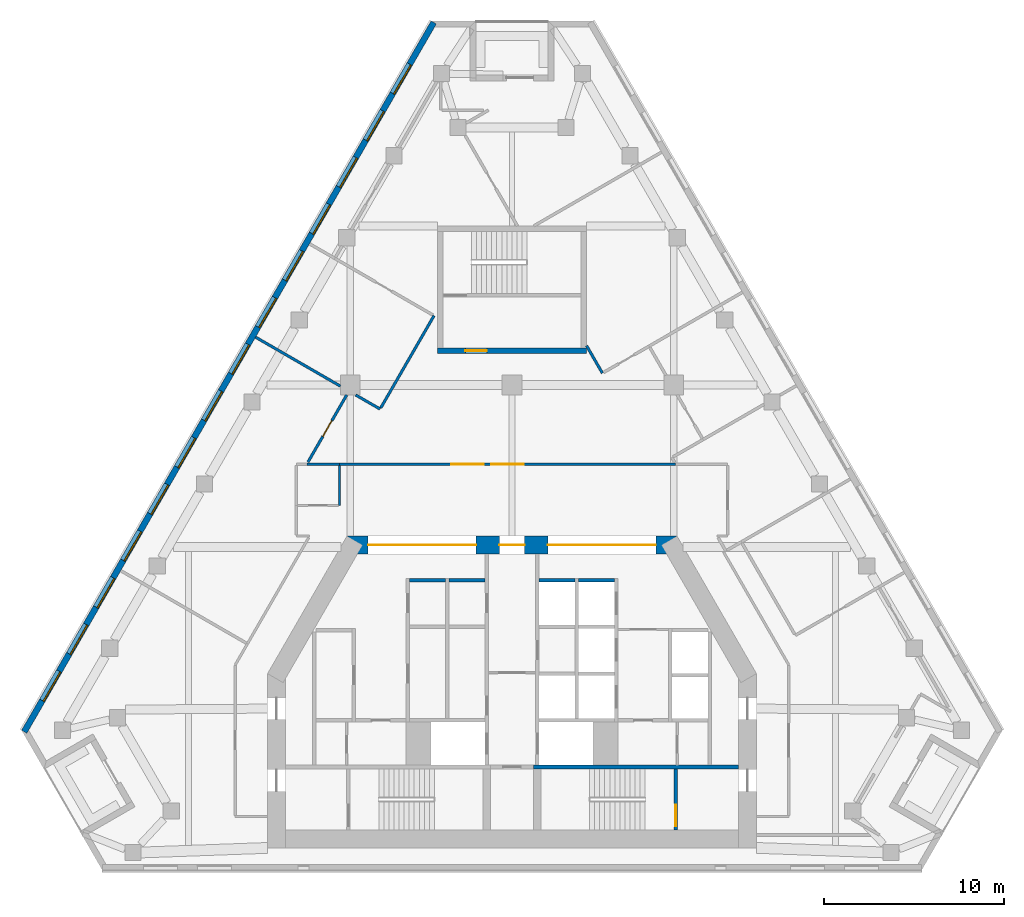
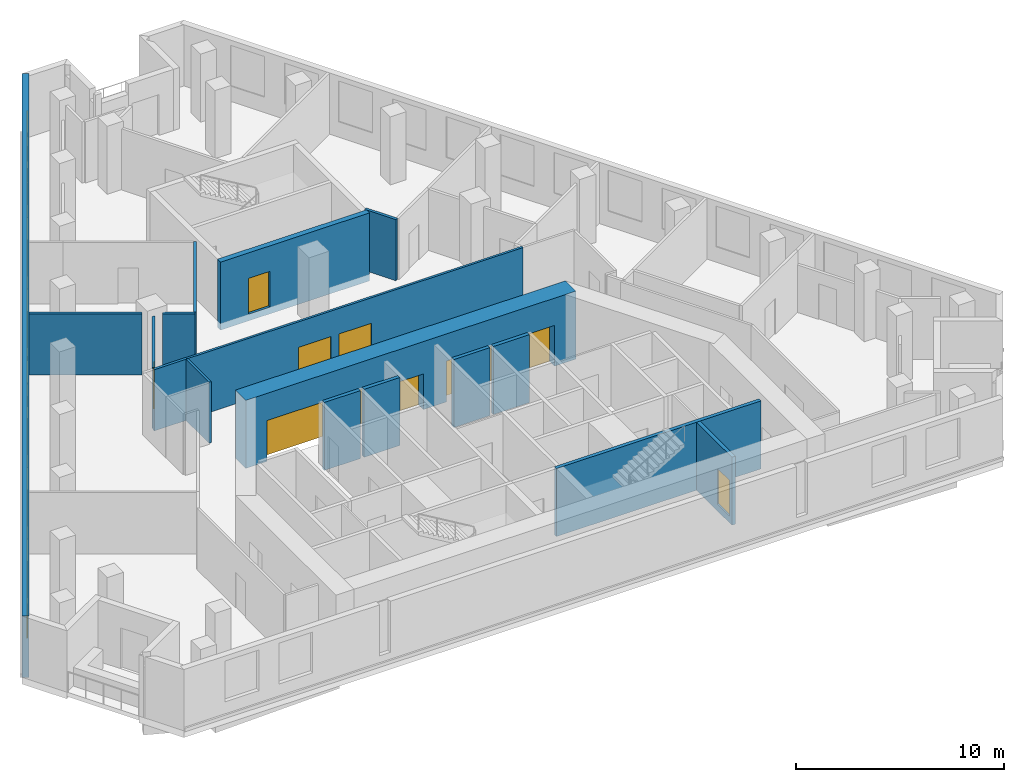
# One storey, part 5 of 9: 17 walls, 14 windows, 8 doors, 22 openings.
"""IFC4 building model written with IfcOpenShell, lengths in metres."""

from ifc_helpers import new_model, si_unit, direction, frame, frame_2d, origin, place, context, subcontext, project, spatial, rectangle, extrude, material, layer, layer_set, type_object, element, fill, save


model = new_model("IFC4")

# Units and contexts
model_context = context("Model", 3, precision=1e-05, world=origin(), true_north=direction((0.0, 1.0)))
body_context = subcontext(model_context, "Body", "Model", "MODEL_VIEW")
ifc_project = project(units=[si_unit("LENGTHUNIT", "METRE"), si_unit("AREAUNIT", "SQUARE_METRE"), si_unit("VOLUMEUNIT", "CUBIC_METRE"), si_unit("PLANEANGLEUNIT", "RADIAN"), si_unit("MASSUNIT", "GRAM", prefix="KILO")], contexts=[model_context])

# Site, building, storey
site_placement = place(None, origin())
site = spatial("IfcSite", under=ifc_project, at=site_placement, CompositionType="ELEMENT")
building_placement = place(site_placement, origin())
building = spatial("IfcBuilding", under=site, at=building_placement, Name="Fogline Exchange Tower", CompositionType="ELEMENT")
storey_placement = place(building_placement, frame((0.0, 0.0, 214.10009765625)))
storey = spatial("IfcBuildingStorey", under=building, at=storey_placement, Name="L48", CompositionType="ELEMENT", Elevation=214.10009765625)

# Wall
ifc_material_1 = material(Name="Concrete C40", Category="concrete")
ifc_layer_1 = layer(ifc_material_1, 0.199951171875)
ifc_layer_set_1 = layer_set([ifc_layer_1], Name="CW20R")
wall_type_1 = type_object("IfcWallType", Name="CW20R", PredefinedType="SOLIDWALL", material=ifc_layer_set_1)
wall_1_placement = place(storey_placement, frame((1.199951171875, 5.75, -0.400146484375), z_axis=(0.0, 0.0, 1.0), x_axis=(1.0, 0.0, 0.0)))
element("IfcWall", 1, at=wall_1_placement, inside=storey, type_object=wall_type_1, Name="Stair enclosure wall", PredefinedType="SOLIDWALL", context=body_context, shape_type="SweptSolid", body=[
    extrude(rectangle(XDim=11.400146484375, YDim=0.199951171875, at=frame_2d((5.7001953125, 0.0))), origin(), (0.0, 0.0, 1.0), 4.0),
])

# Wall, opening, door
wall_2_placement = place(storey_placement, frame((9.10009765625, 2.25, -0.400146484375), z_axis=(0.0, 0.0, 1.0), x_axis=(0.0, 1.0, 0.0)))
wall_2 = element("IfcWall", 2, at=wall_2_placement, inside=storey, type_object=wall_type_1, Name="Stair enclosure wall", PredefinedType="SOLIDWALL", context=body_context, shape_type="SweptSolid", body=[
    extrude(rectangle(XDim=3.39990234375, YDim=0.199951171875, at=frame_2d((1.699951171875, 0.0))), origin(), (0.0, 0.0, 1.0), 4.0),
])
opening_1_placement = place(wall_2_placement, frame((0.199951171875, 0.0, 0.39990234375)))
opening_1 = element("IfcOpeningElement", 3, at=opening_1_placement, cuts=wall_2, Name="Opening T15-C017", PredefinedType="OPENING", context=body_context, shape_type="SweptSolid", body=[
    extrude(rectangle(XDim=1.199951171875, YDim=2.10009765625, at=frame_2d((0.60009765625, 1.050048828125))), frame((0.0, 0.10986328125, 0.0), z_axis=(0.0, -1.0, 0.0), x_axis=(1.0, 0.0, 0.0)), (0.0, 0.0, 1.0), 0.219970703125),
])
ifc_material_2 = material(Name="Steel and timber fire door", Category="steel")
door_type_1 = type_object("IfcDoorType", Name="D-ST1", OperationType="SINGLE_SWING_LEFT", PredefinedType="DOOR", material=ifc_material_2)
door_1_placement = place(opening_1_placement, origin())
door_1 = element("IfcDoor", 4, at=door_1_placement, inside=storey, type_object=door_type_1, Name="Stair door ST2", OperationType="SINGLE_SWING_LEFT", OverallHeight=2.10009765625, OverallWidth=1.199951171875, PredefinedType="DOOR", context=body_context, shape_type="SweptSolid", body=[
    extrude(rectangle(XDim=1.199951171875, YDim=2.10009765625, at=frame_2d((0.60009765625, 1.050048828125))), frame((0.0, 0.02490234375, 0.0), z_axis=(0.0, -1.0, 0.0), x_axis=(1.0, 0.0, 0.0)), (0.0, 0.0, 1.0), 0.050048828125),
])
fill(opening_1, door_1)

# Walls
ifc_layer_2 = layer(ifc_material_1, 0.199951171875)
ifc_layer_set_2 = layer_set([ifc_layer_2], Name="CW20S")
wall_type_2 = type_object("IfcWallType", Name="CW20S", PredefinedType="SOLIDWALL", material=ifc_layer_set_2)
for number, where, z_axis, x_axis, name in (
    (5, (-5.699951171875, 16.14990234375, -0.400146484375), (0.0, 0.0, 1.0), (1.0, 0.0, 0.0), "Lift shaft wall"),
    (6, (-3.5, 16.14990234375, -0.400146484375), (0.0, 0.0, 1.0), (1.0, 0.0, 0.0), "Lift shaft wall"),
    (7, (3.699951171875, 16.14990234375, -0.400146484375), (0.0, 0.0, 1.0), (1.0, 0.0, 0.0), "Lift shaft wall"),
    (8, (1.5, 16.14990234375, -0.400146484375), (0.0, 0.0, 1.0), (1.0, 0.0, 0.0), "Lift shaft wall"),
):
    element("IfcWall", number, at=place(storey_placement, frame(where, z_axis=z_axis, x_axis=x_axis)), inside=storey, type_object=wall_type_2, Name=name, PredefinedType="SOLIDWALL", context=body_context, shape_type="SweptSolid", body=[
        extrude(rectangle(XDim=2.0, YDim=0.199951171875, at=frame_2d((1.0, 0.0))), origin(), (0.0, 0.0, 1.0), 4.0),
    ])

# Wall, opening, door
ifc_layer_3 = layer(ifc_material_1, 0.300048828125)
ifc_layer_set_3 = layer_set([ifc_layer_3], Name="CW30")
wall_type_3 = type_object("IfcWallType", Name="CW30", PredefinedType="SOLIDWALL", material=ifc_layer_set_3)
wall_3_placement = place(storey_placement, frame((-4.14990234375, 28.906982421875, -0.400146484375), z_axis=(0.0, 0.0, 1.0), x_axis=(1.0, 0.0, 0.0)))
wall_3 = element("IfcWall", 9, at=wall_3_placement, inside=storey, type_object=wall_type_3, Name="Stair enclosure wall ST3", PredefinedType="SOLIDWALL", context=body_context, shape_type="SweptSolid", body=[
    extrude(rectangle(XDim=8.2998046875, YDim=0.300048828125, at=frame_2d((4.14990234375, 0.0))), origin(), (0.0, 0.0, 1.0), 4.0),
])
opening_2_placement = place(wall_3_placement, frame((1.550048828125, 0.0, 0.39990234375)))
opening_2 = element("IfcOpeningElement", 10, at=opening_2_placement, cuts=wall_3, Name="Opening T15-C023", PredefinedType="OPENING", context=body_context, shape_type="SweptSolid", body=[
    extrude(rectangle(XDim=1.199951171875, YDim=2.10009765625, at=frame_2d((0.60009765625, 1.050048828125))), frame((0.0, 0.16015625, 0.0), z_axis=(0.0, -1.0, 0.0), x_axis=(1.0, 0.0, 0.0)), (0.0, 0.0, 1.0), 0.320068359375),
])
door_type_2 = type_object("IfcDoorType", Name="D-FR1", OperationType="SINGLE_SWING_RIGHT", PredefinedType="DOOR", material=ifc_material_2)
door_2_placement = place(opening_2_placement, origin())
door_2 = element("IfcDoor", 11, at=door_2_placement, inside=storey, type_object=door_type_2, Name="Front room door ST3", OperationType="SINGLE_SWING_LEFT", OverallHeight=2.10009765625, OverallWidth=1.199951171875, PredefinedType="DOOR", context=body_context, shape_type="SweptSolid", body=[
    extrude(rectangle(XDim=1.199951171875, YDim=2.10009765625, at=frame_2d((0.60009765625, 1.050048828125))), frame((0.0, 0.02490234375, 0.0), z_axis=(0.0, -1.0, 0.0), x_axis=(1.0, 0.0, 0.0)), (0.0, 0.0, 1.0), 0.050048828125),
])
fill(opening_2, door_2)

# Wall, openings, windows
ifc_material_3 = material(Name="Brick masonry", Category="masonry")
ifc_layer_4 = layer(ifc_material_3, 0.340087890625)
ifc_layer_set_4 = layer_set([ifc_layer_4], Name="FW1")
wall_type_4 = type_object("IfcWallType", Name="FW1", PredefinedType="SOLIDWALL", material=ifc_layer_set_4)
wall_4_placement = place(storey_placement, frame((-4.352783203125, 47.1767578125, 0.0), z_axis=(0.0, 0.0, 1.0), x_axis=(-0.500000533701, -0.866025095652, 0.0)))
wall_4 = element("IfcWall", 12, at=wall_4_placement, inside=storey, type_object=wall_type_4, Name="Brick wall L48 W", PredefinedType="SOLIDWALL", context=body_context, shape_type="SweptSolid", body=[
    extrude(rectangle(XDim=45.5732421875, YDim=0.340087890625, at=frame_2d((22.78662109375, 0.0))), origin(), (0.0, 0.0, 1.0), 3.599853515625),
])
opening_3_placement = place(wall_4_placement, frame((2.6796875, 0.0, 0.89990234375)))
opening_3 = element("IfcOpeningElement", 13, at=opening_3_placement, cuts=wall_4, Name="Opening W1", PredefinedType="OPENING", context=body_context, shape_type="SweptSolid", body=[
    extrude(rectangle(XDim=1.885009765625, YDim=2.39990234375, at=frame_2d((0.9423828125, 1.199951171875))), frame((0.0, 0.18017578125, 0.0), z_axis=(0.0, -1.0, 0.0), x_axis=(1.0, 0.0, 0.0)), (0.0, 0.0, 1.0), 0.360107421875),
])
opening_4_placement = place(wall_4_placement, frame((5.6796875, 0.0, 0.89990234375)))
opening_4 = element("IfcOpeningElement", 14, at=opening_4_placement, cuts=wall_4, Name="Opening W1", PredefinedType="OPENING", context=body_context, shape_type="SweptSolid", body=[
    extrude(rectangle(XDim=1.885009765625, YDim=2.39990234375, at=frame_2d((0.9423828125, 1.199951171875))), frame((0.0, 0.18017578125, 0.0), z_axis=(0.0, -1.0, 0.0), x_axis=(1.0, 0.0, 0.0)), (0.0, 0.0, 1.0), 0.360107421875),
])
opening_5_placement = place(wall_4_placement, frame((8.6796875, 0.0, 0.89990234375)))
opening_5 = element("IfcOpeningElement", 15, at=opening_5_placement, cuts=wall_4, Name="Opening W1", PredefinedType="OPENING", context=body_context, shape_type="SweptSolid", body=[
    extrude(rectangle(XDim=1.885009765625, YDim=2.39990234375, at=frame_2d((0.9423828125, 1.199951171875))), frame((0.0, 0.18017578125, 0.0), z_axis=(0.0, -1.0, 0.0), x_axis=(1.0, 0.0, 0.0)), (0.0, 0.0, 1.0), 0.360107421875),
])
opening_6_placement = place(wall_4_placement, frame((11.6796875, 0.0, 0.89990234375)))
opening_6 = element("IfcOpeningElement", 16, at=opening_6_placement, cuts=wall_4, Name="Opening W1", PredefinedType="OPENING", context=body_context, shape_type="SweptSolid", body=[
    extrude(rectangle(XDim=1.885009765625, YDim=2.39990234375, at=frame_2d((0.9423828125, 1.199951171875))), frame((0.0, 0.18017578125, 0.0), z_axis=(0.0, -1.0, 0.0), x_axis=(1.0, 0.0, 0.0)), (0.0, 0.0, 1.0), 0.360107421875),
])
opening_7_placement = place(wall_4_placement, frame((14.6796875, 0.0, 0.89990234375)))
opening_7 = element("IfcOpeningElement", 17, at=opening_7_placement, cuts=wall_4, Name="Opening W1", PredefinedType="OPENING", context=body_context, shape_type="SweptSolid", body=[
    extrude(rectangle(XDim=1.885009765625, YDim=2.39990234375, at=frame_2d((0.9423828125, 1.199951171875))), frame((0.0, 0.18017578125, 0.0), z_axis=(0.0, -1.0, 0.0), x_axis=(1.0, 0.0, 0.0)), (0.0, 0.0, 1.0), 0.360107421875),
])
opening_8_placement = place(wall_4_placement, frame((17.6796875, 0.0, 0.89990234375)))
opening_8 = element("IfcOpeningElement", 18, at=opening_8_placement, cuts=wall_4, Name="Opening W1", PredefinedType="OPENING", context=body_context, shape_type="SweptSolid", body=[
    extrude(rectangle(XDim=1.885009765625, YDim=2.39990234375, at=frame_2d((0.9423828125, 1.199951171875))), frame((0.0, 0.18017578125, 0.0), z_axis=(0.0, -1.0, 0.0), x_axis=(1.0, 0.0, 0.0)), (0.0, 0.0, 1.0), 0.360107421875),
])
opening_9_placement = place(wall_4_placement, frame((20.6796875, 0.0, 0.89990234375)))
opening_9 = element("IfcOpeningElement", 19, at=opening_9_placement, cuts=wall_4, Name="Opening W1", PredefinedType="OPENING", context=body_context, shape_type="SweptSolid", body=[
    extrude(rectangle(XDim=1.885009765625, YDim=2.39990234375, at=frame_2d((0.9423828125, 1.199951171875))), frame((0.0, 0.18017578125, 0.0), z_axis=(0.0, -1.0, 0.0), x_axis=(1.0, 0.0, 0.0)), (0.0, 0.0, 1.0), 0.360107421875),
])
opening_10_placement = place(wall_4_placement, frame((23.6796875, 0.0, 0.89990234375)))
opening_10 = element("IfcOpeningElement", 20, at=opening_10_placement, cuts=wall_4, Name="Opening W1", PredefinedType="OPENING", context=body_context, shape_type="SweptSolid", body=[
    extrude(rectangle(XDim=1.885009765625, YDim=2.39990234375, at=frame_2d((0.9423828125, 1.199951171875))), frame((0.0, 0.18017578125, 0.0), z_axis=(0.0, -1.0, 0.0), x_axis=(1.0, 0.0, 0.0)), (0.0, 0.0, 1.0), 0.360107421875),
])
opening_11_placement = place(wall_4_placement, frame((26.6796875, 0.0, 0.89990234375)))
opening_11 = element("IfcOpeningElement", 21, at=opening_11_placement, cuts=wall_4, Name="Opening W1", PredefinedType="OPENING", context=body_context, shape_type="SweptSolid", body=[
    extrude(rectangle(XDim=1.885009765625, YDim=2.39990234375, at=frame_2d((0.9423828125, 1.199951171875))), frame((0.0, 0.18017578125, 0.0), z_axis=(0.0, -1.0, 0.0), x_axis=(1.0, 0.0, 0.0)), (0.0, 0.0, 1.0), 0.360107421875),
])
opening_12_placement = place(wall_4_placement, frame((29.6796875, 0.0, 0.89990234375)))
opening_12 = element("IfcOpeningElement", 22, at=opening_12_placement, cuts=wall_4, Name="Opening W1", PredefinedType="OPENING", context=body_context, shape_type="SweptSolid", body=[
    extrude(rectangle(XDim=1.885009765625, YDim=2.39990234375, at=frame_2d((0.9423828125, 1.199951171875))), frame((0.0, 0.18017578125, 0.0), z_axis=(0.0, -1.0, 0.0), x_axis=(1.0, 0.0, 0.0)), (0.0, 0.0, 1.0), 0.360107421875),
])
opening_13_placement = place(wall_4_placement, frame((32.6796875, 0.0, 0.89990234375)))
opening_13 = element("IfcOpeningElement", 23, at=opening_13_placement, cuts=wall_4, Name="Opening W1", PredefinedType="OPENING", context=body_context, shape_type="SweptSolid", body=[
    extrude(rectangle(XDim=1.885009765625, YDim=2.39990234375, at=frame_2d((0.9423828125, 1.199951171875))), frame((0.0, 0.18017578125, 0.0), z_axis=(0.0, -1.0, 0.0), x_axis=(1.0, 0.0, 0.0)), (0.0, 0.0, 1.0), 0.360107421875),
])
opening_14_placement = place(wall_4_placement, frame((35.6796875, 0.0, 0.89990234375)))
opening_14 = element("IfcOpeningElement", 24, at=opening_14_placement, cuts=wall_4, Name="Opening W1", PredefinedType="OPENING", context=body_context, shape_type="SweptSolid", body=[
    extrude(rectangle(XDim=1.885009765625, YDim=2.39990234375, at=frame_2d((0.9423828125, 1.199951171875))), frame((0.0, 0.18017578125, 0.0), z_axis=(0.0, -1.0, 0.0), x_axis=(1.0, 0.0, 0.0)), (0.0, 0.0, 1.0), 0.360107421875),
])
opening_15_placement = place(wall_4_placement, frame((38.6796875, 0.0, 0.89990234375)))
opening_15 = element("IfcOpeningElement", 25, at=opening_15_placement, cuts=wall_4, Name="Opening W1", PredefinedType="OPENING", context=body_context, shape_type="SweptSolid", body=[
    extrude(rectangle(XDim=1.885009765625, YDim=2.39990234375, at=frame_2d((0.9423828125, 1.199951171875))), frame((0.0, 0.18017578125, 0.0), z_axis=(0.0, -1.0, 0.0), x_axis=(1.0, 0.0, 0.0)), (0.0, 0.0, 1.0), 0.360107421875),
])
opening_16_placement = place(wall_4_placement, frame((41.6796875, 0.0, 0.89990234375)))
opening_16 = element("IfcOpeningElement", 26, at=opening_16_placement, cuts=wall_4, Name="Opening W1", PredefinedType="OPENING", context=body_context, shape_type="SweptSolid", body=[
    extrude(rectangle(XDim=1.885009765625, YDim=2.39990234375, at=frame_2d((0.9423828125, 1.199951171875))), frame((0.0, 0.18017578125, 0.0), z_axis=(0.0, -1.0, 0.0), x_axis=(1.0, 0.0, 0.0)), (0.0, 0.0, 1.0), 0.360107421875),
])
ifc_material_4 = material(Name="Aluminium and glass", Category="aluminium")
window_type = type_object("IfcWindowType", Name="W1", PartitioningType="SINGLE_PANEL", PredefinedType="WINDOW", material=ifc_material_4)
window_1_placement = place(opening_3_placement, origin())
window_1 = element("IfcWindow", 27, at=window_1_placement, inside=storey, type_object=window_type, Name="W1 W1", OverallHeight=2.39990234375, OverallWidth=1.885009765625, PartitioningType="SINGLE_PANEL", PredefinedType="WINDOW", context=body_context, shape_type="SweptSolid", body=[
    extrude(rectangle(XDim=1.885009765625, YDim=2.39990234375, at=frame_2d((0.9423828125, 1.199951171875))), frame((0.0, 0.110107421875, 0.0), z_axis=(0.0, -1.0, 0.0), x_axis=(1.0, 0.0, 0.0)), (0.0, 0.0, 1.0), 0.06005859375),
])
fill(opening_3, window_1)
window_2_placement = place(opening_4_placement, origin())
window_2 = element("IfcWindow", 28, at=window_2_placement, inside=storey, type_object=window_type, Name="W1 W1", OverallHeight=2.39990234375, OverallWidth=1.885009765625, PartitioningType="SINGLE_PANEL", PredefinedType="WINDOW", context=body_context, shape_type="SweptSolid", body=[
    extrude(rectangle(XDim=1.885009765625, YDim=2.39990234375, at=frame_2d((0.9423828125, 1.199951171875))), frame((0.0, 0.110107421875, 0.0), z_axis=(0.0, -1.0, 0.0), x_axis=(1.0, 0.0, 0.0)), (0.0, 0.0, 1.0), 0.06005859375),
])
fill(opening_4, window_2)
window_3_placement = place(opening_5_placement, origin())
window_3 = element("IfcWindow", 29, at=window_3_placement, inside=storey, type_object=window_type, Name="W1 W1", OverallHeight=2.39990234375, OverallWidth=1.885009765625, PartitioningType="SINGLE_PANEL", PredefinedType="WINDOW", context=body_context, shape_type="SweptSolid", body=[
    extrude(rectangle(XDim=1.885009765625, YDim=2.39990234375, at=frame_2d((0.9423828125, 1.199951171875))), frame((0.0, 0.110107421875, 0.0), z_axis=(0.0, -1.0, 0.0), x_axis=(1.0, 0.0, 0.0)), (0.0, 0.0, 1.0), 0.06005859375),
])
fill(opening_5, window_3)
window_4_placement = place(opening_6_placement, origin())
window_4 = element("IfcWindow", 30, at=window_4_placement, inside=storey, type_object=window_type, Name="W1 W1", OverallHeight=2.39990234375, OverallWidth=1.885009765625, PartitioningType="SINGLE_PANEL", PredefinedType="WINDOW", context=body_context, shape_type="SweptSolid", body=[
    extrude(rectangle(XDim=1.885009765625, YDim=2.39990234375, at=frame_2d((0.9423828125, 1.199951171875))), frame((0.0, 0.110107421875, 0.0), z_axis=(0.0, -1.0, 0.0), x_axis=(1.0, 0.0, 0.0)), (0.0, 0.0, 1.0), 0.06005859375),
])
fill(opening_6, window_4)
window_5_placement = place(opening_7_placement, origin())
window_5 = element("IfcWindow", 31, at=window_5_placement, inside=storey, type_object=window_type, Name="W1 W1", OverallHeight=2.39990234375, OverallWidth=1.885009765625, PartitioningType="SINGLE_PANEL", PredefinedType="WINDOW", context=body_context, shape_type="SweptSolid", body=[
    extrude(rectangle(XDim=1.885009765625, YDim=2.39990234375, at=frame_2d((0.9423828125, 1.199951171875))), frame((0.0, 0.110107421875, 0.0), z_axis=(0.0, -1.0, 0.0), x_axis=(1.0, 0.0, 0.0)), (0.0, 0.0, 1.0), 0.06005859375),
])
fill(opening_7, window_5)
window_6_placement = place(opening_8_placement, origin())
window_6 = element("IfcWindow", 32, at=window_6_placement, inside=storey, type_object=window_type, Name="W1 W1", OverallHeight=2.39990234375, OverallWidth=1.885009765625, PartitioningType="SINGLE_PANEL", PredefinedType="WINDOW", context=body_context, shape_type="SweptSolid", body=[
    extrude(rectangle(XDim=1.885009765625, YDim=2.39990234375, at=frame_2d((0.9423828125, 1.199951171875))), frame((0.0, 0.110107421875, 0.0), z_axis=(0.0, -1.0, 0.0), x_axis=(1.0, 0.0, 0.0)), (0.0, 0.0, 1.0), 0.06005859375),
])
fill(opening_8, window_6)
window_7_placement = place(opening_9_placement, origin())
window_7 = element("IfcWindow", 33, at=window_7_placement, inside=storey, type_object=window_type, Name="W1 W1", OverallHeight=2.39990234375, OverallWidth=1.885009765625, PartitioningType="SINGLE_PANEL", PredefinedType="WINDOW", context=body_context, shape_type="SweptSolid", body=[
    extrude(rectangle(XDim=1.885009765625, YDim=2.39990234375, at=frame_2d((0.9423828125, 1.199951171875))), frame((0.0, 0.110107421875, 0.0), z_axis=(0.0, -1.0, 0.0), x_axis=(1.0, 0.0, 0.0)), (0.0, 0.0, 1.0), 0.06005859375),
])
fill(opening_9, window_7)
window_8_placement = place(opening_10_placement, origin())
window_8 = element("IfcWindow", 34, at=window_8_placement, inside=storey, type_object=window_type, Name="W1 W1", OverallHeight=2.39990234375, OverallWidth=1.885009765625, PartitioningType="SINGLE_PANEL", PredefinedType="WINDOW", context=body_context, shape_type="SweptSolid", body=[
    extrude(rectangle(XDim=1.885009765625, YDim=2.39990234375, at=frame_2d((0.9423828125, 1.199951171875))), frame((0.0, 0.110107421875, 0.0), z_axis=(0.0, -1.0, 0.0), x_axis=(1.0, 0.0, 0.0)), (0.0, 0.0, 1.0), 0.06005859375),
])
fill(opening_10, window_8)
window_9_placement = place(opening_11_placement, origin())
window_9 = element("IfcWindow", 35, at=window_9_placement, inside=storey, type_object=window_type, Name="W1 W1", OverallHeight=2.39990234375, OverallWidth=1.885009765625, PartitioningType="SINGLE_PANEL", PredefinedType="WINDOW", context=body_context, shape_type="SweptSolid", body=[
    extrude(rectangle(XDim=1.885009765625, YDim=2.39990234375, at=frame_2d((0.9423828125, 1.199951171875))), frame((0.0, 0.110107421875, 0.0), z_axis=(0.0, -1.0, 0.0), x_axis=(1.0, 0.0, 0.0)), (0.0, 0.0, 1.0), 0.06005859375),
])
fill(opening_11, window_9)
window_10_placement = place(opening_12_placement, origin())
window_10 = element("IfcWindow", 36, at=window_10_placement, inside=storey, type_object=window_type, Name="W1 W1", OverallHeight=2.39990234375, OverallWidth=1.885009765625, PartitioningType="SINGLE_PANEL", PredefinedType="WINDOW", context=body_context, shape_type="SweptSolid", body=[
    extrude(rectangle(XDim=1.885009765625, YDim=2.39990234375, at=frame_2d((0.9423828125, 1.199951171875))), frame((0.0, 0.110107421875, 0.0), z_axis=(0.0, -1.0, 0.0), x_axis=(1.0, 0.0, 0.0)), (0.0, 0.0, 1.0), 0.06005859375),
])
fill(opening_12, window_10)
window_11_placement = place(opening_13_placement, origin())
window_11 = element("IfcWindow", 37, at=window_11_placement, inside=storey, type_object=window_type, Name="W1 W1", OverallHeight=2.39990234375, OverallWidth=1.885009765625, PartitioningType="SINGLE_PANEL", PredefinedType="WINDOW", context=body_context, shape_type="SweptSolid", body=[
    extrude(rectangle(XDim=1.885009765625, YDim=2.39990234375, at=frame_2d((0.9423828125, 1.199951171875))), frame((0.0, 0.110107421875, 0.0), z_axis=(0.0, -1.0, 0.0), x_axis=(1.0, 0.0, 0.0)), (0.0, 0.0, 1.0), 0.06005859375),
])
fill(opening_13, window_11)
window_12_placement = place(opening_14_placement, origin())
window_12 = element("IfcWindow", 38, at=window_12_placement, inside=storey, type_object=window_type, Name="W1 W1", OverallHeight=2.39990234375, OverallWidth=1.885009765625, PartitioningType="SINGLE_PANEL", PredefinedType="WINDOW", context=body_context, shape_type="SweptSolid", body=[
    extrude(rectangle(XDim=1.885009765625, YDim=2.39990234375, at=frame_2d((0.9423828125, 1.199951171875))), frame((0.0, 0.110107421875, 0.0), z_axis=(0.0, -1.0, 0.0), x_axis=(1.0, 0.0, 0.0)), (0.0, 0.0, 1.0), 0.06005859375),
])
fill(opening_14, window_12)
window_13_placement = place(opening_15_placement, origin())
window_13 = element("IfcWindow", 39, at=window_13_placement, inside=storey, type_object=window_type, Name="W1 W1", OverallHeight=2.39990234375, OverallWidth=1.885009765625, PartitioningType="SINGLE_PANEL", PredefinedType="WINDOW", context=body_context, shape_type="SweptSolid", body=[
    extrude(rectangle(XDim=1.885009765625, YDim=2.39990234375, at=frame_2d((0.9423828125, 1.199951171875))), frame((0.0, 0.110107421875, 0.0), z_axis=(0.0, -1.0, 0.0), x_axis=(1.0, 0.0, 0.0)), (0.0, 0.0, 1.0), 0.06005859375),
])
fill(opening_15, window_13)
window_14_placement = place(opening_16_placement, origin())
window_14 = element("IfcWindow", 40, at=window_14_placement, inside=storey, type_object=window_type, Name="W1 W1", OverallHeight=2.39990234375, OverallWidth=1.885009765625, PartitioningType="SINGLE_PANEL", PredefinedType="WINDOW", context=body_context, shape_type="SweptSolid", body=[
    extrude(rectangle(XDim=1.885009765625, YDim=2.39990234375, at=frame_2d((0.9423828125, 1.199951171875))), frame((0.0, 0.110107421875, 0.0), z_axis=(0.0, -1.0, 0.0), x_axis=(1.0, 0.0, 0.0)), (0.0, 0.0, 1.0), 0.06005859375),
])
fill(opening_16, window_14)

# Wall, openings, doors
ifc_material_5 = material(Name="Plasterboard corridor partition with mineral wool, 2 layers each side")
ifc_layer_5 = layer(ifc_material_5, 0.125)
ifc_layer_set_5 = layer_set([ifc_layer_5], Name="PW2")
wall_type_5 = type_object("IfcWallType", Name="PW2", PredefinedType="PARTITIONING", material=ifc_layer_set_5)
wall_5_placement = place(storey_placement, frame((-9.60009765625, 22.60009765625, 0.0), z_axis=(0.0, 0.0, 1.0), x_axis=(1.0, 0.0, 0.0)))
wall_5 = element("IfcWall", 41, at=wall_5_placement, inside=storey, type_object=wall_type_5, Name="wall-L48-W007", PredefinedType="PARTITIONING", context=body_context, shape_type="SweptSolid", body=[
    extrude(rectangle(XDim=18.708251953125, YDim=0.125, at=frame_2d((9.35400390625, 0.0))), origin(), (0.0, 0.0, 1.0), 3.599853515625),
])
opening_17_placement = place(wall_5_placement, frame((6.216552734375, 0.0, 0.0)))
opening_17 = element("IfcOpeningElement", 42, at=opening_17_placement, cuts=wall_5, Name="Opening T15-D003", PredefinedType="OPENING", context=body_context, shape_type="SweptSolid", body=[
    extrude(rectangle(XDim=1.800048828125, YDim=2.10009765625, at=frame_2d((0.89990234375, 1.050048828125))), frame((0.0, 0.072509765625, 0.0), z_axis=(0.0, -1.0, 0.0), x_axis=(1.0, 0.0, 0.0)), (0.0, 0.0, 1.0), 0.14501953125),
])
opening_18_placement = place(wall_5_placement, frame((8.4541015625, 0.0, 0.0)))
opening_18 = element("IfcOpeningElement", 43, at=opening_18_placement, cuts=wall_5, Name="Opening T15-D004", PredefinedType="OPENING", context=body_context, shape_type="SweptSolid", body=[
    extrude(rectangle(XDim=1.800048828125, YDim=2.10009765625, at=frame_2d((0.89990234375, 1.050048828125))), frame((0.0, 0.072509765625, 0.0), z_axis=(0.0, -1.0, 0.0), x_axis=(1.0, 0.0, 0.0)), (0.0, 0.0, 1.0), 0.14501953125),
])
ifc_material_6 = material(Name="Fire-rated timber door leaves with steel frame", Category="steel")
door_type_3 = type_object("IfcDoorType", Name="D4", OperationType="DOUBLE_DOOR_SINGLE_SWING", PredefinedType="DOOR", material=ifc_material_6)
door_3_placement = place(opening_17_placement, frame((1.800048828125, 0.0, 0.0), z_axis=(0.0, 0.0, 1.0), x_axis=(-1.0, 0.0, 0.0)))
door_3 = element("IfcDoor", 44, at=door_3_placement, inside=storey, type_object=door_type_3, Name="door-L48-D003", OperationType="DOUBLE_DOOR_SINGLE_SWING", OverallHeight=2.10009765625, OverallWidth=1.800048828125, PredefinedType="DOOR", context=body_context, shape_type="SweptSolid", body=[
    extrude(rectangle(XDim=1.800048828125, YDim=2.10009765625, at=frame_2d((0.89990234375, 1.050048828125))), frame((0.0, 0.02490234375, 0.0), z_axis=(0.0, -1.0, 0.0), x_axis=(1.0, 0.0, 0.0)), (0.0, 0.0, 1.0), 0.050048828125),
])
fill(opening_17, door_3)
door_4_placement = place(opening_18_placement, frame((1.800048828125, 0.0, 0.0), z_axis=(0.0, 0.0, 1.0), x_axis=(-1.0, 0.0, 0.0)))
door_4 = element("IfcDoor", 45, at=door_4_placement, inside=storey, type_object=door_type_3, Name="door-L48-D004", OperationType="DOUBLE_DOOR_SINGLE_SWING", OverallHeight=2.10009765625, OverallWidth=1.800048828125, PredefinedType="DOOR", context=body_context, shape_type="SweptSolid", body=[
    extrude(rectangle(XDim=1.800048828125, YDim=2.10009765625, at=frame_2d((0.89990234375, 1.050048828125))), frame((0.0, 0.02490234375, 0.0), z_axis=(0.0, -1.0, 0.0), x_axis=(1.0, 0.0, 0.0)), (0.0, 0.0, 1.0), 0.050048828125),
])
fill(opening_18, door_4)

# Walls
wall_6_placement = place(storey_placement, frame((-9.60009765625, 20.300048828125, 0.0), z_axis=(0.0, 0.0, 1.0), x_axis=(0.0, 1.0, 0.0)))
element("IfcWall", 46, at=wall_6_placement, inside=storey, type_object=wall_type_5, Name="wall-L48-W009", PredefinedType="PARTITIONING", context=body_context, shape_type="SweptSolid", body=[
    extrude(rectangle(XDim=2.224365234375, YDim=0.125, at=frame_2d((1.1123046875, 0.0))), origin(), (0.0, 0.0, 1.0), 3.599853515625),
])
ifc_material_7 = material(Name="Plasterboard demising partition with mineral wool and acoustic board")
ifc_layer_6 = layer(ifc_material_7, 0.14990234375)
ifc_layer_set_6 = layer_set([ifc_layer_6], Name="PW3")
wall_type_6 = type_object("IfcWallType", Name="PW3", PredefinedType="PARTITIONING", material=ifc_layer_set_6)
wall_7_placement = place(storey_placement, frame((5.030029296875, 27.663818359375, 0.0), z_axis=(0.0, 0.0, 1.0), x_axis=(-0.50006265593, 0.865989226344, 0.0)))
element("IfcWall", 47, at=wall_7_placement, inside=storey, type_object=wall_type_6, Name="wall-L48-W028", PredefinedType="PARTITIONING", context=body_context, shape_type="SweptSolid", body=[
    extrude(rectangle(XDim=1.760009765625, YDim=0.14990234375, at=frame_2d((0.8798828125, 0.0))), origin(), (0.0, 0.0, 1.0), 3.599853515625),
])
wall_8_placement = place(storey_placement, frame((-8.69775390625, 26.449951171875, 0.0), z_axis=(0.0, 0.0, 1.0), x_axis=(0.866071624186, -0.499919935369, 0.0)))
element("IfcWall", 48, at=wall_8_placement, inside=storey, type_object=wall_type_6, Name="wall-L48-W036", PredefinedType="PARTITIONING", context=body_context, shape_type="SweptSolid", body=[
    extrude(rectangle(XDim=1.569580078125, YDim=0.14990234375, at=frame_2d((0.78466796875, 0.0))), origin(), (0.0, 0.0, 1.0), 3.599853515625),
])
wall_9_placement = place(storey_placement, frame((-7.301025390625, 25.730224609375, 0.0), z_axis=(0.0, 0.0, 1.0), x_axis=(0.500025631269, 0.866010605059, 0.0)))
element("IfcWall", 49, at=wall_9_placement, inside=storey, type_object=wall_type_6, Name="wall-L48-W037", PredefinedType="PARTITIONING", context=body_context, shape_type="SweptSolid", body=[
    extrude(rectangle(XDim=5.925048828125, YDim=0.14990234375, at=frame_2d((2.96240234375, 0.0))), origin(), (0.0, 0.0, 1.0), 3.599853515625),
])
wall_10_placement = place(storey_placement, frame((-9.60009765625, 22.60009765625, 0.0), z_axis=(0.0, 0.0, 1.0), x_axis=(-1.0, 0.0, 0.0)))
element("IfcWall", 50, at=wall_10_placement, inside=storey, type_object=wall_type_6, Name="wall-L48-W039", PredefinedType="PARTITIONING", context=body_context, shape_type="SweptSolid", body=[
    extrude(rectangle(XDim=1.8173828125, YDim=0.14990234375, at=frame_2d((0.90869140625, 0.0))), origin(), (0.0, 0.0, 1.0), 3.599853515625),
])

# Wall, opening, door
wall_11_placement = place(storey_placement, frame((-11.352294921875, 22.712890625, 0.0), z_axis=(0.0, 0.0, 1.0), x_axis=(0.50002119175, 0.866013168376, 0.0)))
wall_11 = element("IfcWall", 51, at=wall_11_placement, inside=storey, type_object=wall_type_6, Name="wall-L48-W040", PredefinedType="PARTITIONING", context=body_context, shape_type="SweptSolid", body=[
    extrude(rectangle(XDim=4.315185546875, YDim=0.14990234375, at=frame_2d((2.15771484375, 0.0))), origin(), (0.0, 0.0, 1.0), 3.599853515625),
])
opening_19_placement = place(wall_11_placement, frame((1.65771484375, 0.0, 0.0)))
opening_19 = element("IfcOpeningElement", 52, at=opening_19_placement, cuts=wall_11, Name="Opening T15-D012", PredefinedType="OPENING", context=body_context, shape_type="SweptSolid", body=[
    extrude(rectangle(XDim=1.0, YDim=2.10009765625, at=frame_2d((0.5, 1.050048828125))), frame((0.0, 0.0849609375, 0.0), z_axis=(0.0, -1.0, 0.0), x_axis=(1.0, 0.0, 0.0)), (0.0, 0.0, 1.0), 0.169921875),
])
ifc_material_8 = material(Name="Fire-rated timber door leaf with steel frame", Category="steel")
door_type_4 = type_object("IfcDoorType", Name="D3", OperationType="SINGLE_SWING_LEFT", PredefinedType="DOOR", material=ifc_material_8)
door_5_placement = place(opening_19_placement, origin())
door_5 = element("IfcDoor", 53, at=door_5_placement, inside=storey, type_object=door_type_4, Name="door-L48-D012", OperationType="SINGLE_SWING_LEFT", OverallHeight=2.10009765625, OverallWidth=1.0, PredefinedType="DOOR", context=body_context, shape_type="SweptSolid", body=[
    extrude(rectangle(XDim=1.0, YDim=2.10009765625, at=frame_2d((0.5, 1.050048828125))), frame((0.0, 0.02490234375, 0.0), z_axis=(0.0, -1.0, 0.0), x_axis=(1.0, 0.0, 0.0)), (0.0, 0.0, 1.0), 0.050048828125),
])
fill(opening_19, door_5)

# Wall
wall_12_placement = place(storey_placement, frame((-9.550048828125, 26.94189453125, 0.0), z_axis=(0.0, 0.0, 1.0), x_axis=(-0.866002689781, 0.500039339744, 0.0)))
element("IfcWall", 54, at=wall_12_placement, inside=storey, type_object=wall_type_6, Name="wall-L48-W042", PredefinedType="PARTITIONING", context=body_context, shape_type="SweptSolid", body=[
    extrude(rectangle(XDim=5.4462890625, YDim=0.14990234375, at=frame_2d((2.72314453125, 0.0))), origin(), (0.0, 0.0, 1.0), 3.599853515625),
])

# Wall, openings, doors
ifc_material_9 = material(Name="Concrete C60", Category="concrete")
ifc_layer_7 = layer(ifc_material_9, 1.0)
ifc_layer_set_7 = layer_set([ifc_layer_7], Name="SW03")
wall_type_7 = type_object("IfcWallType", Name="SW03", PredefinedType="SHEAR", material=ifc_layer_set_7)
wall_13_placement = place(storey_placement, frame((9.1806640625, 18.10009765625, 0.0), z_axis=(0.0, 0.0, 1.0), x_axis=(-1.0, 0.0, 0.0)))
wall_13 = element("IfcWall", 55, at=wall_13_placement, inside=storey, type_object=wall_type_7, Name="L48-W904", PredefinedType="SHEAR", context=body_context, shape_type="SweptSolid", body=[
    extrude(rectangle(XDim=18.361328125, YDim=1.0, at=frame_2d((9.1806640625, 0.0))), origin(), (0.0, 0.0, 1.0), 4.0),
])
opening_20_placement = place(wall_13_placement, frame((8.480712890625, 0.0, 0.0)))
opening_20 = element("IfcOpeningElement", 56, at=opening_20_placement, cuts=wall_13, Name="Opening T15-C020", PredefinedType="OPENING", context=body_context, shape_type="SweptSolid", body=[
    extrude(rectangle(XDim=1.39990234375, YDim=2.10009765625, at=frame_2d((0.699951171875, 1.050048828125))), frame((0.0, 0.510009765625, 0.0), z_axis=(0.0, -1.0, 0.0), x_axis=(1.0, 0.0, 0.0)), (0.0, 0.0, 1.0), 1.02001953125),
])
opening_21_placement = place(wall_13_placement, frame((11.1806640625, 0.0, 0.0)))
opening_21 = element("IfcOpeningElement", 57, at=opening_21_placement, cuts=wall_13, Name="Opening T15-C021", PredefinedType="OPENING", context=body_context, shape_type="SweptSolid", body=[
    extrude(rectangle(XDim=6.0, YDim=2.39990234375, at=frame_2d((3.0, 1.199951171875))), frame((0.0, 0.510009765625, 0.0), z_axis=(0.0, -1.0, 0.0), x_axis=(1.0, 0.0, 0.0)), (0.0, 0.0, 1.0), 1.02001953125),
])
opening_22_placement = place(wall_13_placement, frame((1.1806640625, 0.0, 0.0)))
opening_22 = element("IfcOpeningElement", 58, at=opening_22_placement, cuts=wall_13, Name="Opening T15-C022", PredefinedType="OPENING", context=body_context, shape_type="SweptSolid", body=[
    extrude(rectangle(XDim=6.0, YDim=2.39990234375, at=frame_2d((3.0, 1.199951171875))), frame((0.0, 0.510009765625, 0.0), z_axis=(0.0, -1.0, 0.0), x_axis=(1.0, 0.0, 0.0)), (0.0, 0.0, 1.0), 1.02001953125),
])
door_type_5 = type_object("IfcDoorType", Name="D-LB1", OperationType="DOUBLE_DOOR_SINGLE_SWING", PredefinedType="DOOR", material=ifc_material_2)
door_6_placement = place(opening_20_placement, origin())
door_6 = element("IfcDoor", 59, at=door_6_placement, inside=storey, type_object=door_type_5, Name="Protected lobby door", OperationType="DOUBLE_DOOR_SINGLE_SWING", OverallHeight=2.10009765625, OverallWidth=1.39990234375, PredefinedType="DOOR", context=body_context, shape_type="SweptSolid", body=[
    extrude(rectangle(XDim=1.39990234375, YDim=2.10009765625, at=frame_2d((0.699951171875, 1.050048828125))), frame((0.0, 0.02490234375, 0.0), z_axis=(0.0, -1.0, 0.0), x_axis=(1.0, 0.0, 0.0)), (0.0, 0.0, 1.0), 0.050048828125),
])
fill(opening_20, door_6)
door_type_6 = type_object("IfcDoorType", Name="D-LE1", OperationType="DOUBLE_DOOR_SLIDING", PredefinedType="DOOR", material=ifc_material_2)
door_7_placement = place(opening_21_placement, origin())
door_7 = element("IfcDoor", 60, at=door_7_placement, inside=storey, type_object=door_type_6, Name="Lift lobby entrance west", OperationType="DOUBLE_DOOR_SLIDING", OverallHeight=2.39990234375, OverallWidth=6.0, PredefinedType="DOOR", context=body_context, shape_type="SweptSolid", body=[
    extrude(rectangle(XDim=6.0, YDim=2.39990234375, at=frame_2d((3.0, 1.199951171875))), frame((0.0, 0.02490234375, 0.0), z_axis=(0.0, -1.0, 0.0), x_axis=(1.0, 0.0, 0.0)), (0.0, 0.0, 1.0), 0.050048828125),
])
fill(opening_21, door_7)
door_8_placement = place(opening_22_placement, origin())
door_8 = element("IfcDoor", 61, at=door_8_placement, inside=storey, type_object=door_type_6, Name="Lift lobby entrance east", OperationType="DOUBLE_DOOR_SLIDING", OverallHeight=2.39990234375, OverallWidth=6.0, PredefinedType="DOOR", context=body_context, shape_type="SweptSolid", body=[
    extrude(rectangle(XDim=6.0, YDim=2.39990234375, at=frame_2d((3.0, 1.199951171875))), frame((0.0, 0.02490234375, 0.0), z_axis=(0.0, -1.0, 0.0), x_axis=(1.0, 0.0, 0.0)), (0.0, 0.0, 1.0), 0.050048828125),
])
fill(opening_22, door_8)

save(model, "model.ifc")
